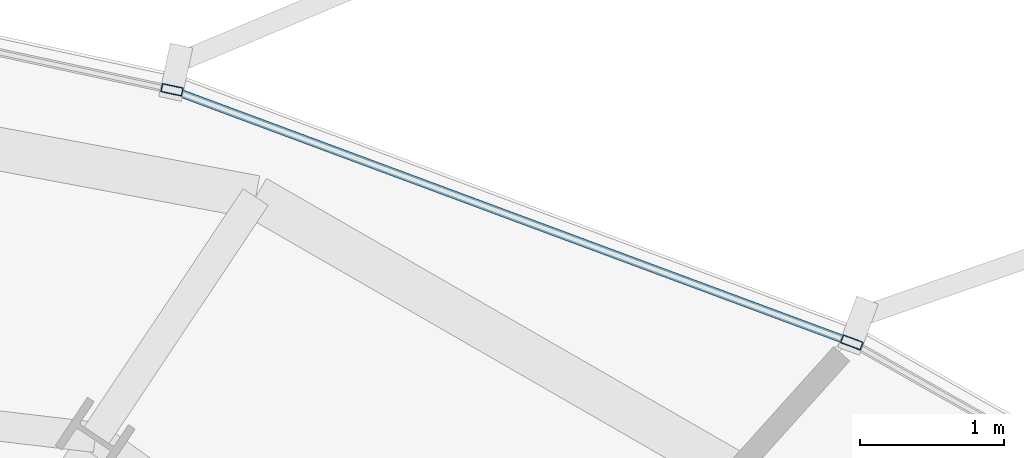
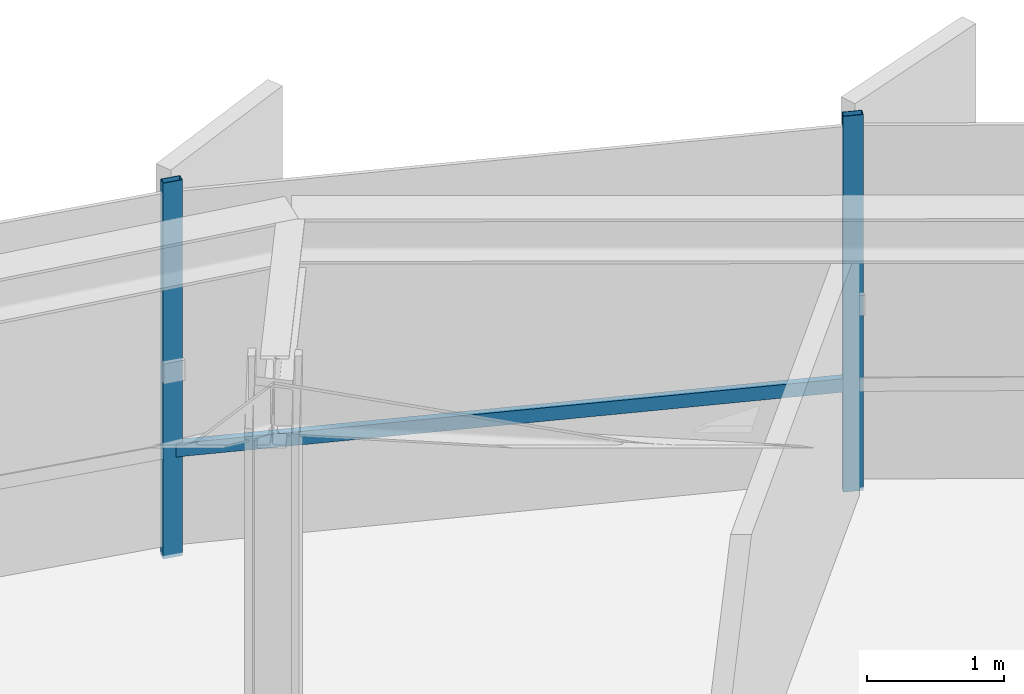
# One storey, part 23 of 35: 3 members, 1 element without a shape of its own.
"""IFC4 building model written with IfcOpenShell, lengths in metres."""

import ifcopenshell
import ifcopenshell.guid

model = None  # the IFC model being written
_history = None  # IfcOwnerHistory: only IFC2X3 demands one
_inside = {}  # id of a spatial element -> (the spatial element, [elements in it])
_under = {}  # id of a project, library or spatial element -> (it, [spatial elements below it])
_declared = {}  # id of a project -> (the project, [libraries it declares])
_typed = {}  # id of a type object -> (the type object, [elements of that type])
_made_of = {}  # id of a material, layer set ... -> (it, [elements and type objects made of it])


def new_model(schema):
    """Start an empty IFC model of exactly this schema.

    Asked for "IFC4X3", IfcOpenShell would pick the latest addendum, in which some entities
    have other attributes; the version numbers below select the first issue.
    IFC2X3 requires an IfcOwnerHistory on every rooted entity: one is made here for all.
    """
    global model, _history
    if schema == "IFC4X3":
        model = ifcopenshell.file(schema_version=(4, 3, 0, 0))
    else:
        model = ifcopenshell.file(schema=schema)
    _inside.clear()
    _under.clear()
    _declared.clear()
    _typed.clear()
    _made_of.clear()
    _history = None
    if model.schema == "IFC2X3":
        org = make("IfcOrganization", Name="unknown")
        user = make(
            "IfcPersonAndOrganization",
            ThePerson=make("IfcPerson", FamilyName="unknown"),
            TheOrganization=org,
        )
        app = make(
            "IfcApplication",
            ApplicationDeveloper=org,
            Version="unknown",
            ApplicationFullName="unknown",
            ApplicationIdentifier="unknown",
        )
        _history = make(
            "IfcOwnerHistory",
            OwningUser=user,
            OwningApplication=app,
            ChangeAction="ADDED",
            CreationDate=0,
        )
    return model


def make(cls, **values):
    """One entity of the class cls with the attributes given. An attribute that is None is left unset."""
    return model.create_entity(
        cls, **{name: value for name, value in values.items() if value is not None}
    )


def rooted(cls, **values):
    """An entity with a GlobalId (a new one), such as an element, a storey or a relation."""
    return make(cls, GlobalId=ifcopenshell.guid.new(), OwnerHistory=_history, **values)


def si_unit(unit_type, name, prefix=None):
    """IfcSIUnit, for example si_unit("LENGTHUNIT", "METRE", prefix="MILLI")."""
    return make("IfcSIUnit", UnitType=unit_type, Prefix=prefix, Name=name)


def assignment(units):
    """IfcUnitAssignment: the units of a project."""
    return None if units is None else make("IfcUnitAssignment", Units=units)


def point(xyz):
    """IfcCartesianPoint."""
    return None if xyz is None else make("IfcCartesianPoint", Coordinates=xyz)


def direction(xyz):
    """IfcDirection."""
    return None if xyz is None else make("IfcDirection", DirectionRatios=xyz)


def frame(location, z_axis=None, x_axis=None):
    """IfcAxis2Placement3D, a coordinate frame: its origin and axes. An axis left out is left unset."""
    return make(
        "IfcAxis2Placement3D",
        Location=point(location),
        Axis=direction(z_axis),
        RefDirection=direction(x_axis),
    )


def frame_2d(location, x_axis=None):
    """IfcAxis2Placement2D, a coordinate frame in the plane: its origin and x axis."""
    return make(
        "IfcAxis2Placement2D", Location=point(location), RefDirection=direction(x_axis)
    )


def origin():
    """The frame at (0, 0, 0) with its axes left unset."""
    return frame((0.0, 0.0, 0.0))


def origin_2d():
    """The frame at (0, 0) in the plane with its x axis left unset."""
    return frame_2d((0.0, 0.0))


def place(relative_to, where):
    """IfcLocalPlacement: puts the frame where relative to a parent placement (None: the world)."""
    return make(
        "IfcLocalPlacement", PlacementRelTo=relative_to, RelativePlacement=where
    )


def context(
    kind, dimensions, precision=None, world=None, true_north=None, identifier=None
):
    """IfcGeometricRepresentationContext, for example the 3D "Model" context."""
    return make(
        "IfcGeometricRepresentationContext",
        ContextIdentifier=identifier,
        ContextType=kind,
        CoordinateSpaceDimension=dimensions,
        Precision=precision,
        WorldCoordinateSystem=world,
        TrueNorth=true_north,
    )


def subcontext(parent, identifier, kind, view, scale=None):
    """IfcGeometricRepresentationSubContext, for example "Body" below "Model"."""
    return make(
        "IfcGeometricRepresentationSubContext",
        ContextIdentifier=identifier,
        ContextType=kind,
        ParentContext=parent,
        TargetScale=scale,
        TargetView=view,
    )


def project(units=None, contexts=None):
    """IfcProject with its units and contexts."""
    return rooted(
        "IfcProject",
        Name="project",
        RepresentationContexts=contexts,
        UnitsInContext=assignment(units),
    )


def spatial(cls, under=None, at=None, **own):
    """A site, building, storey or space (cls), placed at a placement, below another one or the project."""
    s = rooted(cls, ObjectPlacement=at, **own)
    if under is not None:
        _under.setdefault(under.id(), (under, []))[1].append(s)
    return s


def profile(cls, at=None, kind="AREA", **sizes):
    """A parametric profile (cls). Its sizes go by their IFC names, for example OverallWidth=200.0."""
    return make(cls, ProfileType=kind, Position=at, **sizes)


def hollow_rectangle(**sizes):
    """IfcRectangleHollowProfileDef."""
    return profile("IfcRectangleHollowProfileDef", **sizes)


def extrude(swept, where, along, depth):
    """IfcExtrudedAreaSolid: the profile swept, set in the frame where, extruded along a direction by depth."""
    return make(
        "IfcExtrudedAreaSolid",
        SweptArea=swept,
        Position=where,
        ExtrudedDirection=direction(along),
        Depth=depth,
    )


def shape(context_of_items, identifier, shape_type, items):
    """IfcShapeRepresentation: the items that make up one representation, for example the "Body"."""
    return make(
        "IfcShapeRepresentation",
        ContextOfItems=context_of_items,
        RepresentationIdentifier=identifier,
        RepresentationType=shape_type,
        Items=items,
    )


def source(mapping_origin, context_of_items, identifier, shape_type, items):
    """IfcRepresentationMap: a shape defined once, which mapped items show again and again."""
    return make(
        "IfcRepresentationMap",
        MappingOrigin=mapping_origin,
        MappedRepresentation=shape(context_of_items, identifier, shape_type, items),
    )


def transform(
    local_origin,
    x_axis=None,
    y_axis=None,
    z_axis=None,
    scale=None,
    scale2=None,
    scale3=None,
    uniform=True,
):
    """IfcCartesianTransformationOperator3D, or its non-uniform kind. x_axis, y_axis, z_axis: its Axis1, 2, 3."""
    if uniform:
        return make(
            "IfcCartesianTransformationOperator3D",
            Axis1=direction(x_axis),
            Axis2=direction(y_axis),
            LocalOrigin=point(local_origin),
            Scale=scale,
            Axis3=direction(z_axis),
        )
    return make(
        "IfcCartesianTransformationOperator3DnonUniform",
        Axis1=direction(x_axis),
        Axis2=direction(y_axis),
        LocalOrigin=point(local_origin),
        Scale=scale,
        Axis3=direction(z_axis),
        Scale2=scale2,
        Scale3=scale3,
    )


def mapped(mapping_source, mapping_target):
    """IfcMappedItem: shows the shape of a source again, moved by a transform."""
    return make(
        "IfcMappedItem", MappingSource=mapping_source, MappingTarget=mapping_target
    )


def material(Name=None, Category=None):
    """IfcMaterial."""
    return make("IfcMaterial", Name=Name, Category=Category)


def layer(
    of_material, thickness, ventilated=None, Name=None, Category=None, Priority=None
):
    """IfcMaterialLayer: one layer of a wall or slab, of a material (None: an air gap)."""
    return make(
        "IfcMaterialLayer",
        Material=of_material,
        LayerThickness=thickness,
        IsVentilated=ventilated,
        Name=Name,
        Category=Category,
        Priority=Priority,
    )


def layer_set(layers, Name=None):
    """IfcMaterialLayerSet."""
    return make("IfcMaterialLayerSet", MaterialLayers=layers, LayerSetName=Name)


def material_profile(
    of_material, cross_section, Name=None, Category=None, Priority=None
):
    """IfcMaterialProfile: a cross section and its material."""
    return make(
        "IfcMaterialProfile",
        Name=Name,
        Material=of_material,
        Profile=cross_section,
        Priority=Priority,
        Category=Category,
    )


def profile_set(profiles, Name=None, composite=None):
    """IfcMaterialProfileSet."""
    return make(
        "IfcMaterialProfileSet",
        Name=Name,
        MaterialProfiles=profiles,
        CompositeProfile=composite,
    )


def made_of(thing, what):
    """Note that an element or type object is made of a material, layer set ...; save() writes the relation."""
    if what is not None:
        _made_of.setdefault(what.id(), (what, []))[1].append(thing)
    return thing


def type_object(cls, material=None, **own):
    """A type object (cls), such as IfcWallType, which elements share."""
    return made_of(rooted(cls, **own), material)


def element(
    cls,
    number,
    at=None,
    inside=None,
    cuts=None,
    type_object=None,
    material=None,
    context=None,
    identifier="Body",
    shape_type=None,
    held_by="IfcProductDefinitionShape",
    body=None,
    shapes=None,
    **own,
):
    """One element of the class cls, such as IfcWall. Its Tag is "e" and its number.

    at: its placement. inside: the storey or other place that contains it. cuts: it is an
    opening in that element (IfcRelVoidsElement). A single representation is given by context,
    identifier, shape_type and body (its items); several are given by shapes. held_by: the class
    of the entity that holds the representations. save() writes the other relations.
    """
    e = rooted(cls, Tag="e%d" % number, ObjectPlacement=at, **own)
    if body is not None:
        shapes = [shape(context, identifier, shape_type, body)]
    if shapes is not None:
        e.Representation = make(held_by, Representations=shapes)
    if inside is not None:
        _inside.setdefault(inside.id(), (inside, []))[1].append(e)
    if cuts is not None:
        rooted(
            "IfcRelVoidsElement", RelatingBuildingElement=cuts, RelatedOpeningElement=e
        )
    if type_object is not None:
        _typed.setdefault(type_object.id(), (type_object, []))[1].append(e)
    return made_of(e, material)


def aggregate(whole, parts):
    """IfcRelAggregates: a whole, such as a stair, and the parts it consists of."""
    return rooted("IfcRelAggregates", RelatingObject=whole, RelatedObjects=parts)


def save(model, path):
    """Write the relations noted so far, then the file.

    IfcRelAggregates (storeys below a building ...), IfcRelContainedInSpatialStructure (elements
    in a storey), IfcRelDefinesByType, IfcRelAssociatesMaterial and IfcRelDeclares: one each for
    every whole, place, type object, material and project.
    """
    for whole, parts in _under.values():
        aggregate(whole, parts)
    for where, things in _inside.values():
        rooted(
            "IfcRelContainedInSpatialStructure",
            RelatedElements=things,
            RelatingStructure=where,
        )
    for kind, things in _typed.values():
        rooted("IfcRelDefinesByType", RelatedObjects=things, RelatingType=kind)
    for what, things in _made_of.values():
        rooted("IfcRelAssociatesMaterial", RelatedObjects=things, RelatingMaterial=what)
    for by, libraries in _declared.values():
        rooted("IfcRelDeclares", RelatingContext=by, RelatedDefinitions=libraries)
    model.write(path)


model = new_model("IFC4")

# Units and contexts
model_context = context("Model", 3, precision=1e-05, world=origin(), true_north=direction((0.0, 1.0)))
body_context = subcontext(model_context, "Body", "Model", "MODEL_VIEW")
ifc_project = project(units=[si_unit("LENGTHUNIT", "METRE"), si_unit("AREAUNIT", "SQUARE_METRE"), si_unit("VOLUMEUNIT", "CUBIC_METRE"), si_unit("PLANEANGLEUNIT", "RADIAN"), si_unit("MASSUNIT", "GRAM", prefix="KILO"), si_unit("THERMODYNAMICTEMPERATUREUNIT", "KELVIN")], contexts=[model_context])

# Site, building, storey
site_placement = place(None, origin())
site = spatial("IfcSite", under=ifc_project, at=site_placement, CompositionType="ELEMENT")
building_placement = place(site_placement, origin())
building = spatial("IfcBuilding", under=site, at=building_placement, Name="Kethvar Cultural Tower", CompositionType="ELEMENT")
storey_placement = place(building_placement, frame((0.0, 0.0, 96.39990234375)))
storey = spatial("IfcBuildingStorey", under=building, at=storey_placement, Name="L23", CompositionType="ELEMENT", Elevation=96.39990234375)

# Curtain wall, members
ifc_material = material(Name="Aluminium 6063-T6", Category="aluminium")
ifc_layer = layer(ifc_material, 0.179931640625, Name="Aluminium 6063-T6", Category="aluminium")
ifc_layer_set = layer_set([ifc_layer], Name="Aluminium 6063-T6 (180 mm)")
curtain_wall_type = type_object("IfcCurtainWallType", Name="CW-SYS-03-Z2", PredefinedType="NOTDEFINED", material=ifc_layer_set)
curtain_wall_placement = place(storey_placement, origin())
curtain_wall = element("IfcCurtainWall", 1, at=curtain_wall_placement, inside=storey, type_object=curtain_wall_type, Name="L23 Curtain Wall Run 01", PredefinedType="NOTDEFINED")
ifc_material_profile_1 = material_profile(ifc_material, hollow_rectangle(XDim=0.06005859375, YDim=0.14990234375, WallThickness=0.0048828125, at=origin_2d()), Name="Aluminium 6063-T6 — RHS150x60x5")
ifc_profile_set_1 = profile_set([ifc_material_profile_1], Name="Aluminium 6063-T6 — RHS150x60x5")
member_type_1 = type_object("IfcMemberType", Name="CW-SYS-03-Z2-MUL", PredefinedType="MULLION", material=ifc_profile_set_1)
shared_shape_1 = source(origin(), body_context, "Body", "SweptSolid", [
    extrude(hollow_rectangle(XDim=0.06005859375, YDim=0.14990234375, WallThickness=0.0048828125, at=origin_2d()), origin(), (0.0, 0.0, 1.0), 3.35009765625),
])
member_1_placement = place(storey_placement, frame((65.6669921875, 48.820556640625, 0.0), z_axis=(0.0, 0.0, 1.0), x_axis=(-0.348179408991, -0.937427916778, 0.0)))
member_1 = element("IfcMember", 2, at=member_1_placement, type_object=member_type_1, Name="CW-L23-R01 Mullion 5", PredefinedType="MULLION", context=body_context, shape_type="MappedRepresentation", body=[
    mapped(shared_shape_1, transform((0.0, 0.0, 0.0), scale=1.0)),
])
member_2_placement = place(storey_placement, frame((60.939208984375, 50.577880859375, 0.0), z_axis=(0.0, 0.0, 1.0), x_axis=(-0.210949480125, -0.977496965128, 0.0)))
member_2 = element("IfcMember", 3, at=member_2_placement, type_object=member_type_1, Name="CW-L23-R01 Mullion 6", PredefinedType="MULLION", context=body_context, shape_type="MappedRepresentation", body=[
    mapped(shared_shape_1, transform((0.0, 0.0, 0.0), scale=1.0)),
])
ifc_material_profile_2 = material_profile(ifc_material, hollow_rectangle(XDim=0.054931640625, YDim=0.1201171875, WallThickness=0.00390625, at=origin_2d()), Name="Aluminium 6063-T6 — RHS120x55x4")
ifc_profile_set_2 = profile_set([ifc_material_profile_2], Name="Aluminium 6063-T6 — RHS120x55x4")
member_type_2 = type_object("IfcMemberType", Name="CW-SYS-03-Z2-TRN", PredefinedType="USERDEFINED", material=ifc_profile_set_2)
shared_shape_2 = source(origin(), body_context, "Body", "SweptSolid", [
    extrude(hollow_rectangle(XDim=0.054931640625, YDim=0.1201171875, WallThickness=0.00390625, at=origin_2d()), origin(), (0.0, 0.0, 1.0), 4.973876953125),
])
member_3_placement = place(storey_placement, frame((65.62646484375, 48.83544921875, 0.9501953125), z_axis=(-0.937417947843, 0.348206247879, 0.0), x_axis=(-0.348206247879, -0.937417947843, 0.0)))
member_3 = element("IfcMember", 4, at=member_3_placement, type_object=member_type_2, Name="CW-L23-R01 Transom 5", ObjectType="TRANSOM", PredefinedType="USERDEFINED", context=body_context, shape_type="MappedRepresentation", body=[
    mapped(shared_shape_2, transform((0.0, 0.0, 0.0), scale=1.0)),
])
aggregate(curtain_wall, [member_1, member_2, member_3])

save(model, "model.ifc")
